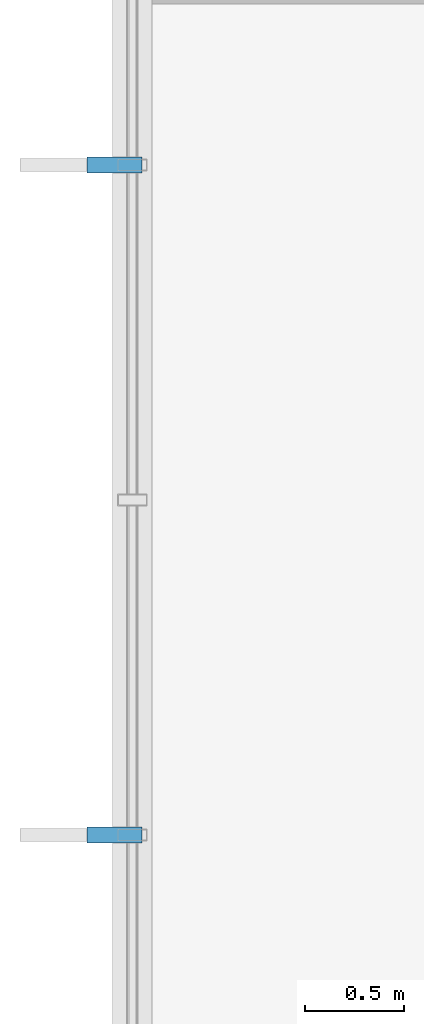
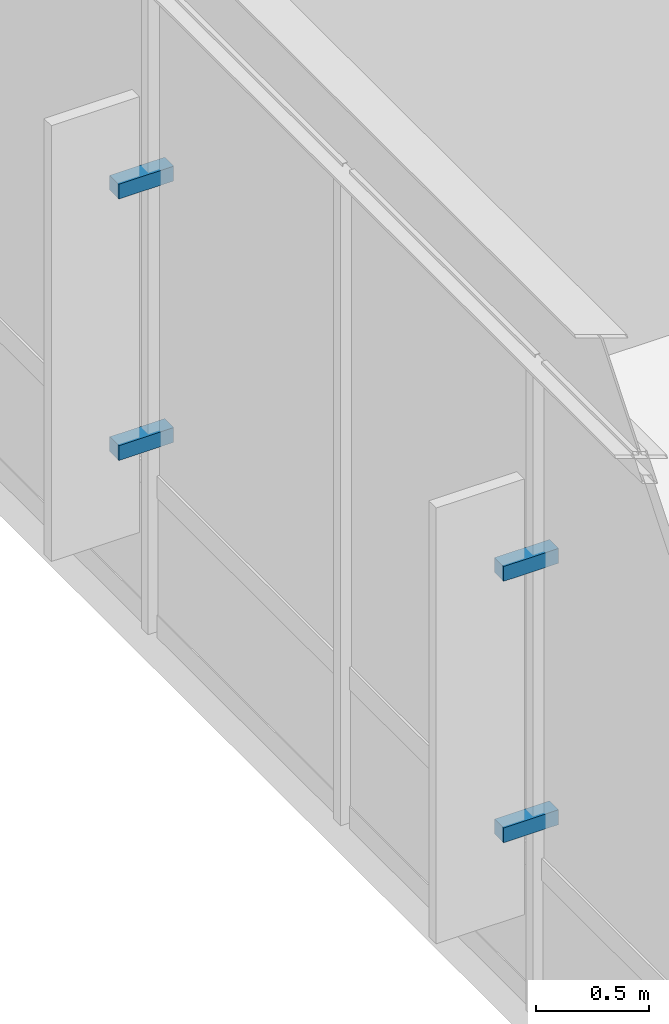
# One storey, part 94 of 106: 4 discrete accessories.
"""IFC4 building model written with IfcOpenShell, lengths in metres."""

import ifcopenshell
import ifcopenshell.guid

model = None  # the IFC model being written
_history = None  # IfcOwnerHistory: only IFC2X3 demands one
_inside = {}  # id of a spatial element -> (the spatial element, [elements in it])
_under = {}  # id of a project, library or spatial element -> (it, [spatial elements below it])
_declared = {}  # id of a project -> (the project, [libraries it declares])
_typed = {}  # id of a type object -> (the type object, [elements of that type])
_made_of = {}  # id of a material, layer set ... -> (it, [elements and type objects made of it])


def new_model(schema):
    """Start an empty IFC model of exactly this schema.

    Asked for "IFC4X3", IfcOpenShell would pick the latest addendum, in which some entities
    have other attributes; the version numbers below select the first issue.
    IFC2X3 requires an IfcOwnerHistory on every rooted entity: one is made here for all.
    """
    global model, _history
    if schema == "IFC4X3":
        model = ifcopenshell.file(schema_version=(4, 3, 0, 0))
    else:
        model = ifcopenshell.file(schema=schema)
    _inside.clear()
    _under.clear()
    _declared.clear()
    _typed.clear()
    _made_of.clear()
    _history = None
    if model.schema == "IFC2X3":
        org = make("IfcOrganization", Name="unknown")
        user = make(
            "IfcPersonAndOrganization",
            ThePerson=make("IfcPerson", FamilyName="unknown"),
            TheOrganization=org,
        )
        app = make(
            "IfcApplication",
            ApplicationDeveloper=org,
            Version="unknown",
            ApplicationFullName="unknown",
            ApplicationIdentifier="unknown",
        )
        _history = make(
            "IfcOwnerHistory",
            OwningUser=user,
            OwningApplication=app,
            ChangeAction="ADDED",
            CreationDate=0,
        )
    return model


def make(cls, **values):
    """One entity of the class cls with the attributes given. An attribute that is None is left unset."""
    return model.create_entity(
        cls, **{name: value for name, value in values.items() if value is not None}
    )


def rooted(cls, **values):
    """An entity with a GlobalId (a new one), such as an element, a storey or a relation."""
    return make(cls, GlobalId=ifcopenshell.guid.new(), OwnerHistory=_history, **values)


def si_unit(unit_type, name, prefix=None):
    """IfcSIUnit, for example si_unit("LENGTHUNIT", "METRE", prefix="MILLI")."""
    return make("IfcSIUnit", UnitType=unit_type, Prefix=prefix, Name=name)


def assignment(units):
    """IfcUnitAssignment: the units of a project."""
    return None if units is None else make("IfcUnitAssignment", Units=units)


def point(xyz):
    """IfcCartesianPoint."""
    return None if xyz is None else make("IfcCartesianPoint", Coordinates=xyz)


def direction(xyz):
    """IfcDirection."""
    return None if xyz is None else make("IfcDirection", DirectionRatios=xyz)


def frame(location, z_axis=None, x_axis=None):
    """IfcAxis2Placement3D, a coordinate frame: its origin and axes. An axis left out is left unset."""
    return make(
        "IfcAxis2Placement3D",
        Location=point(location),
        Axis=direction(z_axis),
        RefDirection=direction(x_axis),
    )


def frame_2d(location, x_axis=None):
    """IfcAxis2Placement2D, a coordinate frame in the plane: its origin and x axis."""
    return make(
        "IfcAxis2Placement2D", Location=point(location), RefDirection=direction(x_axis)
    )


def origin():
    """The frame at (0, 0, 0) with its axes left unset."""
    return frame((0.0, 0.0, 0.0))


def origin_2d():
    """The frame at (0, 0) in the plane with its x axis left unset."""
    return frame_2d((0.0, 0.0))


def place(relative_to, where):
    """IfcLocalPlacement: puts the frame where relative to a parent placement (None: the world)."""
    return make(
        "IfcLocalPlacement", PlacementRelTo=relative_to, RelativePlacement=where
    )


def context(
    kind, dimensions, precision=None, world=None, true_north=None, identifier=None
):
    """IfcGeometricRepresentationContext, for example the 3D "Model" context."""
    return make(
        "IfcGeometricRepresentationContext",
        ContextIdentifier=identifier,
        ContextType=kind,
        CoordinateSpaceDimension=dimensions,
        Precision=precision,
        WorldCoordinateSystem=world,
        TrueNorth=true_north,
    )


def subcontext(parent, identifier, kind, view, scale=None):
    """IfcGeometricRepresentationSubContext, for example "Body" below "Model"."""
    return make(
        "IfcGeometricRepresentationSubContext",
        ContextIdentifier=identifier,
        ContextType=kind,
        ParentContext=parent,
        TargetScale=scale,
        TargetView=view,
    )


def project(units=None, contexts=None):
    """IfcProject with its units and contexts."""
    return rooted(
        "IfcProject",
        Name="project",
        RepresentationContexts=contexts,
        UnitsInContext=assignment(units),
    )


def spatial(cls, under=None, at=None, **own):
    """A site, building, storey or space (cls), placed at a placement, below another one or the project."""
    s = rooted(cls, ObjectPlacement=at, **own)
    if under is not None:
        _under.setdefault(under.id(), (under, []))[1].append(s)
    return s


def profile(cls, at=None, kind="AREA", **sizes):
    """A parametric profile (cls). Its sizes go by their IFC names, for example OverallWidth=200.0."""
    return make(cls, ProfileType=kind, Position=at, **sizes)


def rectangle(**sizes):
    """IfcRectangleProfileDef."""
    return profile("IfcRectangleProfileDef", **sizes)


def extrude(swept, where, along, depth):
    """IfcExtrudedAreaSolid: the profile swept, set in the frame where, extruded along a direction by depth."""
    return make(
        "IfcExtrudedAreaSolid",
        SweptArea=swept,
        Position=where,
        ExtrudedDirection=direction(along),
        Depth=depth,
    )


def shape(context_of_items, identifier, shape_type, items):
    """IfcShapeRepresentation: the items that make up one representation, for example the "Body"."""
    return make(
        "IfcShapeRepresentation",
        ContextOfItems=context_of_items,
        RepresentationIdentifier=identifier,
        RepresentationType=shape_type,
        Items=items,
    )


def material(Name=None, Category=None):
    """IfcMaterial."""
    return make("IfcMaterial", Name=Name, Category=Category)


def made_of(thing, what):
    """Note that an element or type object is made of a material, layer set ...; save() writes the relation."""
    if what is not None:
        _made_of.setdefault(what.id(), (what, []))[1].append(thing)
    return thing


def type_object(cls, material=None, **own):
    """A type object (cls), such as IfcWallType, which elements share."""
    return made_of(rooted(cls, **own), material)


def element(
    cls,
    number,
    at=None,
    inside=None,
    cuts=None,
    type_object=None,
    material=None,
    context=None,
    identifier="Body",
    shape_type=None,
    held_by="IfcProductDefinitionShape",
    body=None,
    shapes=None,
    **own,
):
    """One element of the class cls, such as IfcWall. Its Tag is "e" and its number.

    at: its placement. inside: the storey or other place that contains it. cuts: it is an
    opening in that element (IfcRelVoidsElement). A single representation is given by context,
    identifier, shape_type and body (its items); several are given by shapes. held_by: the class
    of the entity that holds the representations. save() writes the other relations.
    """
    e = rooted(cls, Tag="e%d" % number, ObjectPlacement=at, **own)
    if body is not None:
        shapes = [shape(context, identifier, shape_type, body)]
    if shapes is not None:
        e.Representation = make(held_by, Representations=shapes)
    if inside is not None:
        _inside.setdefault(inside.id(), (inside, []))[1].append(e)
    if cuts is not None:
        rooted(
            "IfcRelVoidsElement", RelatingBuildingElement=cuts, RelatedOpeningElement=e
        )
    if type_object is not None:
        _typed.setdefault(type_object.id(), (type_object, []))[1].append(e)
    return made_of(e, material)


def aggregate(whole, parts):
    """IfcRelAggregates: a whole, such as a stair, and the parts it consists of."""
    return rooted("IfcRelAggregates", RelatingObject=whole, RelatedObjects=parts)


def save(model, path):
    """Write the relations noted so far, then the file.

    IfcRelAggregates (storeys below a building ...), IfcRelContainedInSpatialStructure (elements
    in a storey), IfcRelDefinesByType, IfcRelAssociatesMaterial and IfcRelDeclares: one each for
    every whole, place, type object, material and project.
    """
    for whole, parts in _under.values():
        aggregate(whole, parts)
    for where, things in _inside.values():
        rooted(
            "IfcRelContainedInSpatialStructure",
            RelatedElements=things,
            RelatingStructure=where,
        )
    for kind, things in _typed.values():
        rooted("IfcRelDefinesByType", RelatedObjects=things, RelatingType=kind)
    for what, things in _made_of.values():
        rooted("IfcRelAssociatesMaterial", RelatedObjects=things, RelatingMaterial=what)
    for by, libraries in _declared.values():
        rooted("IfcRelDeclares", RelatingContext=by, RelatedDefinitions=libraries)
    model.write(path)


model = new_model("IFC4")

# Units and contexts
model_context = context("Model", 3, precision=1e-05, world=origin(), true_north=direction((0.0, 1.0)))
body_context = subcontext(model_context, "Body", "Model", "MODEL_VIEW")
ifc_project = project(units=[si_unit("LENGTHUNIT", "METRE"), si_unit("AREAUNIT", "SQUARE_METRE"), si_unit("VOLUMEUNIT", "CUBIC_METRE"), si_unit("PLANEANGLEUNIT", "RADIAN"), si_unit("MASSUNIT", "GRAM", prefix="KILO")], contexts=[model_context])

# Site, building, storey
site_placement = place(None, origin())
site = spatial("IfcSite", under=ifc_project, at=site_placement, CompositionType="ELEMENT")
building_placement = place(site_placement, origin())
building = spatial("IfcBuilding", under=site, at=building_placement, Name="Kazanami Central Library", CompositionType="ELEMENT")
storey_placement = place(building_placement, frame((0.0, 0.0, 12.800048828125)))
storey = spatial("IfcBuildingStorey", under=building, at=storey_placement, Name="L04", CompositionType="ELEMENT", Elevation=12.800048828125)

# Discrete accessories
ifc_material = material(Name="Stainless Steel SUS304", Category="steel")
discrete_accessory_type = type_object("IfcDiscreteAccessoryType", Name="ACC-BRK-1", PredefinedType="BRACKET", material=ifc_material)
for number, where, z_axis, x_axis, name in (
    (1, (-0.090087890625, 73.89990234375, 1.0), (0.0, 0.0, 1.0), (0.0, 1.0, 0.0), "Solar Fin Outrigger Bracket L04 W-1-10.1.1"),
    (2, (-0.090087890625, 73.89990234375, 2.409912109375), (0.0, 0.0, 1.0), (0.0, 1.0, 0.0), "Solar Fin Outrigger Bracket L04 W-1-10.1.2"),
    (3, (-0.090087890625, 77.300048828125, 1.0), (0.0, 0.0, 1.0), (0.0, 1.0, 0.0), "Solar Fin Outrigger Bracket L04 W-1-10.2.1"),
    (4, (-0.090087890625, 77.300048828125, 2.409912109375), (0.0, 0.0, 1.0), (0.0, 1.0, 0.0), "Solar Fin Outrigger Bracket L04 W-1-10.2.2"),
):
    element("IfcDiscreteAccessory", number, at=place(storey_placement, frame(where, z_axis=z_axis, x_axis=x_axis)), inside=storey, type_object=discrete_accessory_type, Name=name, PredefinedType="BRACKET", context=body_context, shape_type="SweptSolid", body=[
        extrude(rectangle(XDim=0.080078125, YDim=0.280029296875, at=origin_2d()), origin(), (0.0, 0.0, 1.0), 0.080078125),
    ])

save(model, "model.ifc")
